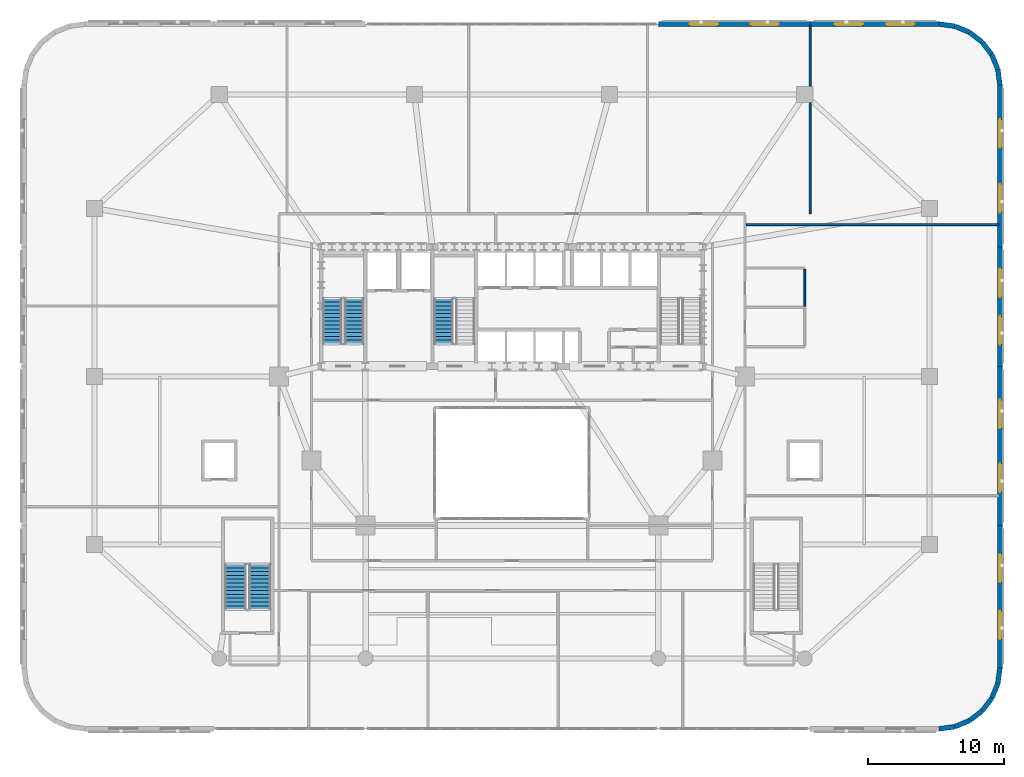
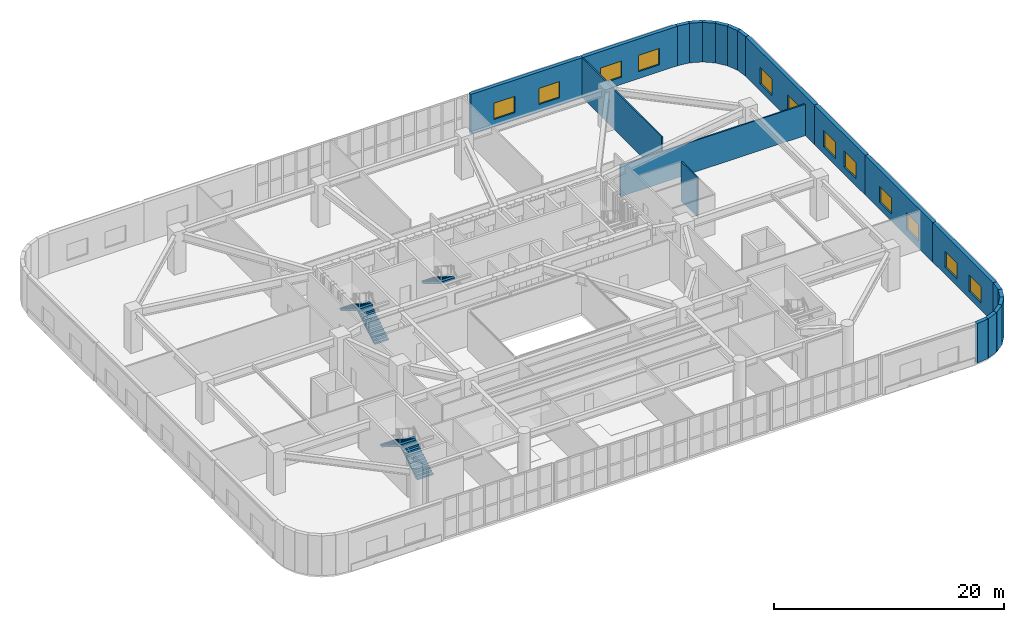
# One storey, part 17 of 25: 21 walls, 12 windows, 5 stair flights, 12 openings, 3 elements without a shape of their own.
"""IFC4 building model written with IfcOpenShell, lengths in metres."""

import ifcopenshell
import ifcopenshell.guid

model = None  # the IFC model being written
_history = None  # IfcOwnerHistory: only IFC2X3 demands one
_inside = {}  # id of a spatial element -> (the spatial element, [elements in it])
_under = {}  # id of a project, library or spatial element -> (it, [spatial elements below it])
_declared = {}  # id of a project -> (the project, [libraries it declares])
_typed = {}  # id of a type object -> (the type object, [elements of that type])
_made_of = {}  # id of a material, layer set ... -> (it, [elements and type objects made of it])


def new_model(schema):
    """Start an empty IFC model of exactly this schema.

    Asked for "IFC4X3", IfcOpenShell would pick the latest addendum, in which some entities
    have other attributes; the version numbers below select the first issue.
    IFC2X3 requires an IfcOwnerHistory on every rooted entity: one is made here for all.
    """
    global model, _history
    if schema == "IFC4X3":
        model = ifcopenshell.file(schema_version=(4, 3, 0, 0))
    else:
        model = ifcopenshell.file(schema=schema)
    _inside.clear()
    _under.clear()
    _declared.clear()
    _typed.clear()
    _made_of.clear()
    _history = None
    if model.schema == "IFC2X3":
        org = make("IfcOrganization", Name="unknown")
        user = make(
            "IfcPersonAndOrganization",
            ThePerson=make("IfcPerson", FamilyName="unknown"),
            TheOrganization=org,
        )
        app = make(
            "IfcApplication",
            ApplicationDeveloper=org,
            Version="unknown",
            ApplicationFullName="unknown",
            ApplicationIdentifier="unknown",
        )
        _history = make(
            "IfcOwnerHistory",
            OwningUser=user,
            OwningApplication=app,
            ChangeAction="ADDED",
            CreationDate=0,
        )
    return model


def make(cls, **values):
    """One entity of the class cls with the attributes given. An attribute that is None is left unset."""
    return model.create_entity(
        cls, **{name: value for name, value in values.items() if value is not None}
    )


def rooted(cls, **values):
    """An entity with a GlobalId (a new one), such as an element, a storey or a relation."""
    return make(cls, GlobalId=ifcopenshell.guid.new(), OwnerHistory=_history, **values)


def si_unit(unit_type, name, prefix=None):
    """IfcSIUnit, for example si_unit("LENGTHUNIT", "METRE", prefix="MILLI")."""
    return make("IfcSIUnit", UnitType=unit_type, Prefix=prefix, Name=name)


def assignment(units):
    """IfcUnitAssignment: the units of a project."""
    return None if units is None else make("IfcUnitAssignment", Units=units)


def point(xyz):
    """IfcCartesianPoint."""
    return None if xyz is None else make("IfcCartesianPoint", Coordinates=xyz)


def direction(xyz):
    """IfcDirection."""
    return None if xyz is None else make("IfcDirection", DirectionRatios=xyz)


def frame(location, z_axis=None, x_axis=None):
    """IfcAxis2Placement3D, a coordinate frame: its origin and axes. An axis left out is left unset."""
    return make(
        "IfcAxis2Placement3D",
        Location=point(location),
        Axis=direction(z_axis),
        RefDirection=direction(x_axis),
    )


def frame_2d(location, x_axis=None):
    """IfcAxis2Placement2D, a coordinate frame in the plane: its origin and x axis."""
    return make(
        "IfcAxis2Placement2D", Location=point(location), RefDirection=direction(x_axis)
    )


def origin():
    """The frame at (0, 0, 0) with its axes left unset."""
    return frame((0.0, 0.0, 0.0))


def place(relative_to, where):
    """IfcLocalPlacement: puts the frame where relative to a parent placement (None: the world)."""
    return make(
        "IfcLocalPlacement", PlacementRelTo=relative_to, RelativePlacement=where
    )


def context(
    kind, dimensions, precision=None, world=None, true_north=None, identifier=None
):
    """IfcGeometricRepresentationContext, for example the 3D "Model" context."""
    return make(
        "IfcGeometricRepresentationContext",
        ContextIdentifier=identifier,
        ContextType=kind,
        CoordinateSpaceDimension=dimensions,
        Precision=precision,
        WorldCoordinateSystem=world,
        TrueNorth=true_north,
    )


def subcontext(parent, identifier, kind, view, scale=None):
    """IfcGeometricRepresentationSubContext, for example "Body" below "Model"."""
    return make(
        "IfcGeometricRepresentationSubContext",
        ContextIdentifier=identifier,
        ContextType=kind,
        ParentContext=parent,
        TargetScale=scale,
        TargetView=view,
    )


def project(units=None, contexts=None):
    """IfcProject with its units and contexts."""
    return rooted(
        "IfcProject",
        Name="project",
        RepresentationContexts=contexts,
        UnitsInContext=assignment(units),
    )


def spatial(cls, under=None, at=None, **own):
    """A site, building, storey or space (cls), placed at a placement, below another one or the project."""
    s = rooted(cls, ObjectPlacement=at, **own)
    if under is not None:
        _under.setdefault(under.id(), (under, []))[1].append(s)
    return s


def polyline(points):
    """IfcPolyline through the points."""
    return make("IfcPolyline", Points=[point(p) for p in points])


def profile(cls, at=None, kind="AREA", **sizes):
    """A parametric profile (cls). Its sizes go by their IFC names, for example OverallWidth=200.0."""
    return make(cls, ProfileType=kind, Position=at, **sizes)


def rectangle(**sizes):
    """IfcRectangleProfileDef."""
    return profile("IfcRectangleProfileDef", **sizes)


def outline(outer, holes=None, kind="AREA"):
    """IfcArbitraryClosedProfileDef: a profile drawn as a closed curve; with holes, ...WithVoids."""
    if holes is None:
        return make("IfcArbitraryClosedProfileDef", ProfileType=kind, OuterCurve=outer)
    return make(
        "IfcArbitraryProfileDefWithVoids",
        ProfileType=kind,
        OuterCurve=outer,
        InnerCurves=holes,
    )


def extrude(swept, where, along, depth):
    """IfcExtrudedAreaSolid: the profile swept, set in the frame where, extruded along a direction by depth."""
    return make(
        "IfcExtrudedAreaSolid",
        SweptArea=swept,
        Position=where,
        ExtrudedDirection=direction(along),
        Depth=depth,
    )


def shape(context_of_items, identifier, shape_type, items):
    """IfcShapeRepresentation: the items that make up one representation, for example the "Body"."""
    return make(
        "IfcShapeRepresentation",
        ContextOfItems=context_of_items,
        RepresentationIdentifier=identifier,
        RepresentationType=shape_type,
        Items=items,
    )


def material(Name=None, Category=None):
    """IfcMaterial."""
    return make("IfcMaterial", Name=Name, Category=Category)


def layer(
    of_material, thickness, ventilated=None, Name=None, Category=None, Priority=None
):
    """IfcMaterialLayer: one layer of a wall or slab, of a material (None: an air gap)."""
    return make(
        "IfcMaterialLayer",
        Material=of_material,
        LayerThickness=thickness,
        IsVentilated=ventilated,
        Name=Name,
        Category=Category,
        Priority=Priority,
    )


def layer_set(layers, Name=None):
    """IfcMaterialLayerSet."""
    return make("IfcMaterialLayerSet", MaterialLayers=layers, LayerSetName=Name)


def made_of(thing, what):
    """Note that an element or type object is made of a material, layer set ...; save() writes the relation."""
    if what is not None:
        _made_of.setdefault(what.id(), (what, []))[1].append(thing)
    return thing


def type_object(cls, material=None, **own):
    """A type object (cls), such as IfcWallType, which elements share."""
    return made_of(rooted(cls, **own), material)


def element(
    cls,
    number,
    at=None,
    inside=None,
    cuts=None,
    type_object=None,
    material=None,
    context=None,
    identifier="Body",
    shape_type=None,
    held_by="IfcProductDefinitionShape",
    body=None,
    shapes=None,
    **own,
):
    """One element of the class cls, such as IfcWall. Its Tag is "e" and its number.

    at: its placement. inside: the storey or other place that contains it. cuts: it is an
    opening in that element (IfcRelVoidsElement). A single representation is given by context,
    identifier, shape_type and body (its items); several are given by shapes. held_by: the class
    of the entity that holds the representations. save() writes the other relations.
    """
    e = rooted(cls, Tag="e%d" % number, ObjectPlacement=at, **own)
    if body is not None:
        shapes = [shape(context, identifier, shape_type, body)]
    if shapes is not None:
        e.Representation = make(held_by, Representations=shapes)
    if inside is not None:
        _inside.setdefault(inside.id(), (inside, []))[1].append(e)
    if cuts is not None:
        rooted(
            "IfcRelVoidsElement", RelatingBuildingElement=cuts, RelatedOpeningElement=e
        )
    if type_object is not None:
        _typed.setdefault(type_object.id(), (type_object, []))[1].append(e)
    return made_of(e, material)


def fill(opening, filler):
    """IfcRelFillsElement: the door or window that sits in an opening."""
    return rooted(
        "IfcRelFillsElement",
        RelatingOpeningElement=opening,
        RelatedBuildingElement=filler,
    )


def aggregate(whole, parts):
    """IfcRelAggregates: a whole, such as a stair, and the parts it consists of."""
    return rooted("IfcRelAggregates", RelatingObject=whole, RelatedObjects=parts)


def save(model, path):
    """Write the relations noted so far, then the file.

    IfcRelAggregates (storeys below a building ...), IfcRelContainedInSpatialStructure (elements
    in a storey), IfcRelDefinesByType, IfcRelAssociatesMaterial and IfcRelDeclares: one each for
    every whole, place, type object, material and project.
    """
    for whole, parts in _under.values():
        aggregate(whole, parts)
    for where, things in _inside.values():
        rooted(
            "IfcRelContainedInSpatialStructure",
            RelatedElements=things,
            RelatingStructure=where,
        )
    for kind, things in _typed.values():
        rooted("IfcRelDefinesByType", RelatedObjects=things, RelatingType=kind)
    for what, things in _made_of.values():
        rooted("IfcRelAssociatesMaterial", RelatedObjects=things, RelatingMaterial=what)
    for by, libraries in _declared.values():
        rooted("IfcRelDeclares", RelatingContext=by, RelatedDefinitions=libraries)
    model.write(path)


model = new_model("IFC4")

# Units and contexts
model_context = context("Model", 3, precision=1e-05, world=origin(), true_north=direction((0.0, 1.0)))
body_context = subcontext(model_context, "Body", "Model", "MODEL_VIEW")
ifc_project = project(units=[si_unit("LENGTHUNIT", "METRE"), si_unit("AREAUNIT", "SQUARE_METRE"), si_unit("VOLUMEUNIT", "CUBIC_METRE"), si_unit("PLANEANGLEUNIT", "RADIAN"), si_unit("MASSUNIT", "GRAM", prefix="KILO")], contexts=[model_context])

# Site, building, storey
site_placement = place(None, origin())
site = spatial("IfcSite", under=ifc_project, at=site_placement, CompositionType="ELEMENT")
building_placement = place(site_placement, origin())
building = spatial("IfcBuilding", under=site, at=building_placement, Name="Haldorwick Loom Tower", CompositionType="ELEMENT")
storey_placement = place(building_placement, frame((0.0, 0.0, 15.0)))
storey = spatial("IfcBuildingStorey", under=building, at=storey_placement, Name="L03", CompositionType="ELEMENT", Elevation=15.0)

# Walls
ifc_material_1 = material(Name="Pressed Clay Face Brick and Insulated Masonry Backup Assembly", Category="masonry")
ifc_layer_1 = layer(ifc_material_1, 0.360107421875, Name="Pressed Clay Face Brick and Insulated Masonry Backup Assembly", Category="masonry")
ifc_layer_set_1 = layer_set([ifc_layer_1], Name="Pressed Clay Face Brick and Insulated Masonry Backup Assembly")
wall_type_1 = type_object("IfcWallType", Name="ARC-WL-EXT360", PredefinedType="STANDARD", material=ifc_layer_set_1)
wall_1_placement = place(storey_placement, frame((67.5, 0.0, 0.0), z_axis=(0.0, 0.0, 1.0), x_axis=(0.991447928588, 0.130502892298, 0.0)))
element("IfcWall", 1, at=wall_1_placement, inside=storey, type_object=wall_type_1, Name="L03 Brick Pier and Spandrel Wall 1", PredefinedType="STANDARD", context=body_context, shape_type="SweptSolid", body=[
    extrude(rectangle(XDim=1.1748046875, YDim=0.360107421875, at=frame_2d((0.58740234375, 0.0))), origin(), (0.0, 0.0, 1.0), 4.199951171875),
])
wall_2_placement = place(storey_placement, frame((68.664794921875, 0.1533203125, 0.0), z_axis=(0.0, 0.0, 1.0), x_axis=(0.923892706888, 0.382651625058, 0.0)))
element("IfcWall", 2, at=wall_2_placement, inside=storey, type_object=wall_type_1, Name="L03 Brick Pier and Spandrel Wall 2", PredefinedType="STANDARD", context=body_context, shape_type="SweptSolid", body=[
    extrude(rectangle(XDim=1.174560546875, YDim=0.360107421875, at=frame_2d((0.58740234375, 0.0))), origin(), (0.0, 0.0, 1.0), 4.199951171875),
])
for number, where, z_axis, x_axis, name in (
    (3, (69.75, 0.602783203125, 0.0), (0.0, 0.0, 1.0), (0.79324162823, 0.60890698735, 0.0), "L03 Brick Pier and Spandrel Wall 3"),
    (4, (70.681884765625, 1.318115234375, 0.0), (0.0, 0.0, 1.0), (0.60890698735, 0.79324162823, 0.0), "L03 Brick Pier and Spandrel Wall 4"),
):
    element("IfcWall", number, at=place(storey_placement, frame(where, z_axis=z_axis, x_axis=x_axis)), inside=storey, type_object=wall_type_1, Name=name, PredefinedType="STANDARD", context=body_context, shape_type="SweptSolid", body=[
        extrude(rectangle(XDim=1.1748046875, YDim=0.360107421875, at=frame_2d((0.58740234375, 0.0))), origin(), (0.0, 0.0, 1.0), 4.199951171875),
    ])
wall_3_placement = place(storey_placement, frame((71.397216796875, 2.25, 0.0), z_axis=(0.0, 0.0, 1.0), x_axis=(0.382651625058, 0.923892706888, 0.0)))
element("IfcWall", 5, at=wall_3_placement, inside=storey, type_object=wall_type_1, Name="L03 Brick Pier and Spandrel Wall 5", PredefinedType="STANDARD", context=body_context, shape_type="SweptSolid", body=[
    extrude(rectangle(XDim=1.174560546875, YDim=0.360107421875, at=frame_2d((0.58740234375, 0.0))), origin(), (0.0, 0.0, 1.0), 4.199951171875),
])
wall_4_placement = place(storey_placement, frame((71.8466796875, 3.335205078125, 0.0), z_axis=(0.0, 0.0, 1.0), x_axis=(0.130502892298, 0.991447928588, 0.0)))
element("IfcWall", 6, at=wall_4_placement, inside=storey, type_object=wall_type_1, Name="L03 Brick Pier and Spandrel Wall 6", PredefinedType="STANDARD", context=body_context, shape_type="SweptSolid", body=[
    extrude(rectangle(XDim=1.1748046875, YDim=0.360107421875, at=frame_2d((0.58740234375, 0.0))), origin(), (0.0, 0.0, 1.0), 4.199951171875),
])

# Wall, openings, windows
wall_5_placement = place(storey_placement, frame((72.0, 4.5, 0.0), z_axis=(0.0, 0.0, 1.0), x_axis=(0.0, 1.0, 0.0)))
wall_5 = element("IfcWall", 7, at=wall_5_placement, inside=storey, type_object=wall_type_1, Name="L03 Brick Pier and Spandrel Wall 7", PredefinedType="STANDARD", context=body_context, shape_type="SweptSolid", body=[
    extrude(rectangle(XDim=10.5, YDim=0.360107421875, at=frame_2d((5.25, 0.0))), origin(), (0.0, 0.0, 1.0), 4.199951171875),
])
opening_1_placement = place(wall_5_placement, frame((2.10009765625, 0.0, 0.75)))
opening_1 = element("IfcOpeningElement", 8, at=opening_1_placement, cuts=wall_5, Name="Opening W-04", PredefinedType="OPENING", context=body_context, shape_type="SweptSolid", body=[
    extrude(rectangle(XDim=2.10009765625, YDim=1.719970703125, at=frame_2d((1.050048828125, 0.85986328125))), frame((0.0, 0.18994140625, 0.0), z_axis=(0.0, -1.0, 0.0), x_axis=(1.0, 0.0, 0.0)), (0.0, 0.0, 1.0), 0.380126953125),
])
opening_2_placement = place(wall_5_placement, frame((6.300048828125, 0.0, 0.75)))
opening_2 = element("IfcOpeningElement", 9, at=opening_2_placement, cuts=wall_5, Name="Opening W-04", PredefinedType="OPENING", context=body_context, shape_type="SweptSolid", body=[
    extrude(rectangle(XDim=2.10009765625, YDim=1.719970703125, at=frame_2d((1.050048828125, 0.85986328125))), frame((0.0, 0.18994140625, 0.0), z_axis=(0.0, -1.0, 0.0), x_axis=(1.0, 0.0, 0.0)), (0.0, 0.0, 1.0), 0.380126953125),
])
ifc_material_2 = material(Name="Triple-Glazed Low-E Argon Insulated Glazing Unit", Category="glass")
window_type = type_object("IfcWindowType", Name="ARC-WIN-W210", PartitioningType="SINGLE_PANEL", PredefinedType="WINDOW", material=ifc_material_2)
window_1_placement = place(opening_1_placement, origin())
window_1 = element("IfcWindow", 10, at=window_1_placement, inside=storey, type_object=window_type, Name="L03 Deep-Set Zone 7A Window 7", OverallHeight=1.719970703125, OverallWidth=2.10009765625, PartitioningType="SINGLE_PANEL", PredefinedType="WINDOW", context=body_context, shape_type="SweptSolid", body=[
    extrude(rectangle(XDim=2.10009765625, YDim=1.719970703125, at=frame_2d((1.050048828125, 0.85986328125))), frame((0.0, 0.030029296875, 0.0), z_axis=(0.0, -1.0, 0.0), x_axis=(1.0, 0.0, 0.0)), (0.0, 0.0, 1.0), 0.06005859375),
])
fill(opening_1, window_1)
window_2_placement = place(opening_2_placement, origin())
window_2 = element("IfcWindow", 11, at=window_2_placement, inside=storey, type_object=window_type, Name="L03 Deep-Set Zone 7A Window 7", OverallHeight=1.719970703125, OverallWidth=2.10009765625, PartitioningType="SINGLE_PANEL", PredefinedType="WINDOW", context=body_context, shape_type="SweptSolid", body=[
    extrude(rectangle(XDim=2.10009765625, YDim=1.719970703125, at=frame_2d((1.050048828125, 0.85986328125))), frame((0.0, 0.030029296875, 0.0), z_axis=(0.0, -1.0, 0.0), x_axis=(1.0, 0.0, 0.0)), (0.0, 0.0, 1.0), 0.06005859375),
])
fill(opening_2, window_2)

wall_6_placement = place(storey_placement, frame((72.0, 15.0, 0.0), z_axis=(0.0, 0.0, 1.0), x_axis=(0.0, 1.0, 0.0)))
wall_6 = element("IfcWall", 12, at=wall_6_placement, inside=storey, type_object=wall_type_1, Name="L03 Brick Pier and Spandrel Wall 8", PredefinedType="STANDARD", context=body_context, shape_type="SweptSolid", body=[
    extrude(rectangle(XDim=11.75, YDim=0.360107421875, at=frame_2d((5.875, 0.0))), origin(), (0.0, 0.0, 1.0), 4.199951171875),
])
opening_3_placement = place(wall_6_placement, frame((2.47509765625, 0.0, 0.75)))
opening_3 = element("IfcOpeningElement", 13, at=opening_3_placement, cuts=wall_6, Name="Opening W-04", PredefinedType="OPENING", context=body_context, shape_type="SweptSolid", body=[
    extrude(rectangle(XDim=2.10009765625, YDim=1.719970703125, at=frame_2d((1.050048828125, 0.85986328125))), frame((0.0, 0.18994140625, 0.0), z_axis=(0.0, -1.0, 0.0), x_axis=(1.0, 0.0, 0.0)), (0.0, 0.0, 1.0), 0.380126953125),
])
opening_4_placement = place(wall_6_placement, frame((7.175048828125, 0.0, 0.75)))
opening_4 = element("IfcOpeningElement", 14, at=opening_4_placement, cuts=wall_6, Name="Opening W-04", PredefinedType="OPENING", context=body_context, shape_type="SweptSolid", body=[
    extrude(rectangle(XDim=2.10009765625, YDim=1.719970703125, at=frame_2d((1.050048828125, 0.85986328125))), frame((0.0, 0.18994140625, 0.0), z_axis=(0.0, -1.0, 0.0), x_axis=(1.0, 0.0, 0.0)), (0.0, 0.0, 1.0), 0.380126953125),
])
window_3_placement = place(opening_3_placement, origin())
window_3 = element("IfcWindow", 15, at=window_3_placement, inside=storey, type_object=window_type, Name="L03 Deep-Set Zone 7A Window 8", OverallHeight=1.719970703125, OverallWidth=2.10009765625, PartitioningType="SINGLE_PANEL", PredefinedType="WINDOW", context=body_context, shape_type="SweptSolid", body=[
    extrude(rectangle(XDim=2.10009765625, YDim=1.719970703125, at=frame_2d((1.050048828125, 0.85986328125))), frame((0.0, 0.030029296875, 0.0), z_axis=(0.0, -1.0, 0.0), x_axis=(1.0, 0.0, 0.0)), (0.0, 0.0, 1.0), 0.06005859375),
])
fill(opening_3, window_3)
window_4_placement = place(opening_4_placement, origin())
window_4 = element("IfcWindow", 16, at=window_4_placement, inside=storey, type_object=window_type, Name="L03 Deep-Set Zone 7A Window 8", OverallHeight=1.719970703125, OverallWidth=2.10009765625, PartitioningType="SINGLE_PANEL", PredefinedType="WINDOW", context=body_context, shape_type="SweptSolid", body=[
    extrude(rectangle(XDim=2.10009765625, YDim=1.719970703125, at=frame_2d((1.050048828125, 0.85986328125))), frame((0.0, 0.030029296875, 0.0), z_axis=(0.0, -1.0, 0.0), x_axis=(1.0, 0.0, 0.0)), (0.0, 0.0, 1.0), 0.06005859375),
])
fill(opening_4, window_4)

wall_7_placement = place(storey_placement, frame((72.0, 26.75, 0.0), z_axis=(0.0, 0.0, 1.0), x_axis=(0.0, 1.0, 0.0)))
wall_7 = element("IfcWall", 17, at=wall_7_placement, inside=storey, type_object=wall_type_1, Name="L03 Brick Pier and Spandrel Wall 9", PredefinedType="STANDARD", context=body_context, shape_type="SweptSolid", body=[
    extrude(rectangle(XDim=8.800048828125, YDim=0.360107421875, at=frame_2d((4.39990234375, 0.0))), origin(), (0.0, 0.0, 1.0), 4.199951171875),
])
opening_5_placement = place(wall_7_placement, frame((1.590087890625, 0.0, 0.75)))
opening_5 = element("IfcOpeningElement", 18, at=opening_5_placement, cuts=wall_7, Name="Opening W-04", PredefinedType="OPENING", context=body_context, shape_type="SweptSolid", body=[
    extrude(rectangle(XDim=2.10009765625, YDim=1.719970703125, at=frame_2d((1.050048828125, 0.85986328125))), frame((0.0, 0.18994140625, 0.0), z_axis=(0.0, -1.0, 0.0), x_axis=(1.0, 0.0, 0.0)), (0.0, 0.0, 1.0), 0.380126953125),
])
opening_6_placement = place(wall_7_placement, frame((5.110107421875, 0.0, 0.75)))
opening_6 = element("IfcOpeningElement", 19, at=opening_6_placement, cuts=wall_7, Name="Opening W-04", PredefinedType="OPENING", context=body_context, shape_type="SweptSolid", body=[
    extrude(rectangle(XDim=2.10009765625, YDim=1.719970703125, at=frame_2d((1.050048828125, 0.85986328125))), frame((0.0, 0.18994140625, 0.0), z_axis=(0.0, -1.0, 0.0), x_axis=(1.0, 0.0, 0.0)), (0.0, 0.0, 1.0), 0.380126953125),
])
window_5_placement = place(opening_5_placement, origin())
window_5 = element("IfcWindow", 20, at=window_5_placement, inside=storey, type_object=window_type, Name="L03 Deep-Set Zone 7A Window 9", OverallHeight=1.719970703125, OverallWidth=2.10009765625, PartitioningType="SINGLE_PANEL", PredefinedType="WINDOW", context=body_context, shape_type="SweptSolid", body=[
    extrude(rectangle(XDim=2.10009765625, YDim=1.719970703125, at=frame_2d((1.050048828125, 0.85986328125))), frame((0.0, 0.030029296875, 0.0), z_axis=(0.0, -1.0, 0.0), x_axis=(1.0, 0.0, 0.0)), (0.0, 0.0, 1.0), 0.06005859375),
])
fill(opening_5, window_5)
window_6_placement = place(opening_6_placement, origin())
window_6 = element("IfcWindow", 21, at=window_6_placement, inside=storey, type_object=window_type, Name="L03 Deep-Set Zone 7A Window 9", OverallHeight=1.719970703125, OverallWidth=2.10009765625, PartitioningType="SINGLE_PANEL", PredefinedType="WINDOW", context=body_context, shape_type="SweptSolid", body=[
    extrude(rectangle(XDim=2.10009765625, YDim=1.719970703125, at=frame_2d((1.050048828125, 0.85986328125))), frame((0.0, 0.030029296875, 0.0), z_axis=(0.0, -1.0, 0.0), x_axis=(1.0, 0.0, 0.0)), (0.0, 0.0, 1.0), 0.06005859375),
])
fill(opening_6, window_6)

wall_8_placement = place(storey_placement, frame((72.0, 35.550048828125, 0.0), z_axis=(0.0, 0.0, 1.0), x_axis=(0.0, 1.0, 0.0)))
wall_8 = element("IfcWall", 22, at=wall_8_placement, inside=storey, type_object=wall_type_1, Name="L03 Brick Pier and Spandrel Wall 10", PredefinedType="STANDARD", context=body_context, shape_type="SweptSolid", body=[
    extrude(rectangle(XDim=11.949951171875, YDim=0.360107421875, at=frame_2d((5.97509765625, 0.0))), origin(), (0.0, 0.0, 1.0), 4.199951171875),
])
opening_7_placement = place(wall_8_placement, frame((2.534912109375, 0.0, 0.75)))
opening_7 = element("IfcOpeningElement", 23, at=opening_7_placement, cuts=wall_8, Name="Opening W-04", PredefinedType="OPENING", context=body_context, shape_type="SweptSolid", body=[
    extrude(rectangle(XDim=2.10009765625, YDim=1.719970703125, at=frame_2d((1.050048828125, 0.85986328125))), frame((0.0, 0.18994140625, 0.0), z_axis=(0.0, -1.0, 0.0), x_axis=(1.0, 0.0, 0.0)), (0.0, 0.0, 1.0), 0.380126953125),
])
opening_8_placement = place(wall_8_placement, frame((7.31494140625, 0.0, 0.75)))
opening_8 = element("IfcOpeningElement", 24, at=opening_8_placement, cuts=wall_8, Name="Opening W-04", PredefinedType="OPENING", context=body_context, shape_type="SweptSolid", body=[
    extrude(rectangle(XDim=2.10009765625, YDim=1.719970703125, at=frame_2d((1.050048828125, 0.85986328125))), frame((0.0, 0.18994140625, 0.0), z_axis=(0.0, -1.0, 0.0), x_axis=(1.0, 0.0, 0.0)), (0.0, 0.0, 1.0), 0.380126953125),
])
window_7_placement = place(opening_7_placement, origin())
window_7 = element("IfcWindow", 25, at=window_7_placement, inside=storey, type_object=window_type, Name="L03 Deep-Set Zone 7A Window 10", OverallHeight=1.719970703125, OverallWidth=2.10009765625, PartitioningType="SINGLE_PANEL", PredefinedType="WINDOW", context=body_context, shape_type="SweptSolid", body=[
    extrude(rectangle(XDim=2.10009765625, YDim=1.719970703125, at=frame_2d((1.050048828125, 0.85986328125))), frame((0.0, 0.030029296875, 0.0), z_axis=(0.0, -1.0, 0.0), x_axis=(1.0, 0.0, 0.0)), (0.0, 0.0, 1.0), 0.06005859375),
])
fill(opening_7, window_7)
window_8_placement = place(opening_8_placement, origin())
window_8 = element("IfcWindow", 26, at=window_8_placement, inside=storey, type_object=window_type, Name="L03 Deep-Set Zone 7A Window 10", OverallHeight=1.719970703125, OverallWidth=2.10009765625, PartitioningType="SINGLE_PANEL", PredefinedType="WINDOW", context=body_context, shape_type="SweptSolid", body=[
    extrude(rectangle(XDim=2.10009765625, YDim=1.719970703125, at=frame_2d((1.050048828125, 0.85986328125))), frame((0.0, 0.030029296875, 0.0), z_axis=(0.0, -1.0, 0.0), x_axis=(1.0, 0.0, 0.0)), (0.0, 0.0, 1.0), 0.06005859375),
])
fill(opening_8, window_8)

# Walls
wall_9_placement = place(storey_placement, frame((72.0, 47.5, 0.0), z_axis=(0.0, 0.0, 1.0), x_axis=(-0.130502892298, 0.991447928588, 0.0)))
element("IfcWall", 27, at=wall_9_placement, inside=storey, type_object=wall_type_1, Name="L03 Brick Pier and Spandrel Wall 11", PredefinedType="STANDARD", context=body_context, shape_type="SweptSolid", body=[
    extrude(rectangle(XDim=1.1748046875, YDim=0.360107421875, at=frame_2d((0.58740234375, 0.0))), origin(), (0.0, 0.0, 1.0), 4.199951171875),
])
wall_10_placement = place(storey_placement, frame((71.8466796875, 48.664794921875, 0.0), z_axis=(0.0, 0.0, 1.0), x_axis=(-0.382651625058, 0.923892706888, 0.0)))
element("IfcWall", 28, at=wall_10_placement, inside=storey, type_object=wall_type_1, Name="L03 Brick Pier and Spandrel Wall 12", PredefinedType="STANDARD", context=body_context, shape_type="SweptSolid", body=[
    extrude(rectangle(XDim=1.174560546875, YDim=0.360107421875, at=frame_2d((0.58740234375, 0.0))), origin(), (0.0, 0.0, 1.0), 4.199951171875),
])
for number, where, z_axis, x_axis, name in (
    (29, (71.397216796875, 49.75, 0.0), (0.0, 0.0, 1.0), (-0.60890698735, 0.79324162823, 0.0), "L03 Brick Pier and Spandrel Wall 13"),
    (30, (70.681884765625, 50.681884765625, 0.0), (0.0, 0.0, 1.0), (-0.79324162823, 0.60890698735, 0.0), "L03 Brick Pier and Spandrel Wall 14"),
):
    element("IfcWall", number, at=place(storey_placement, frame(where, z_axis=z_axis, x_axis=x_axis)), inside=storey, type_object=wall_type_1, Name=name, PredefinedType="STANDARD", context=body_context, shape_type="SweptSolid", body=[
        extrude(rectangle(XDim=1.1748046875, YDim=0.360107421875, at=frame_2d((0.58740234375, 0.0))), origin(), (0.0, 0.0, 1.0), 4.199951171875),
    ])
wall_11_placement = place(storey_placement, frame((69.75, 51.397216796875, 0.0), z_axis=(0.0, 0.0, 1.0), x_axis=(-0.923892706888, 0.382651625058, 0.0)))
element("IfcWall", 31, at=wall_11_placement, inside=storey, type_object=wall_type_1, Name="L03 Brick Pier and Spandrel Wall 15", PredefinedType="STANDARD", context=body_context, shape_type="SweptSolid", body=[
    extrude(rectangle(XDim=1.174560546875, YDim=0.360107421875, at=frame_2d((0.58740234375, 0.0))), origin(), (0.0, 0.0, 1.0), 4.199951171875),
])
wall_12_placement = place(storey_placement, frame((68.664794921875, 51.8466796875, 0.0), z_axis=(0.0, 0.0, 1.0), x_axis=(-0.991447928588, 0.130502892298, 0.0)))
element("IfcWall", 32, at=wall_12_placement, inside=storey, type_object=wall_type_1, Name="L03 Brick Pier and Spandrel Wall 16", PredefinedType="STANDARD", context=body_context, shape_type="SweptSolid", body=[
    extrude(rectangle(XDim=1.1748046875, YDim=0.360107421875, at=frame_2d((0.58740234375, 0.0))), origin(), (0.0, 0.0, 1.0), 4.199951171875),
])

# Wall, openings, windows
wall_13_placement = place(storey_placement, frame((67.5, 52.0, 0.0), z_axis=(0.0, 0.0, 1.0), x_axis=(-1.0, 0.0, 0.0)))
wall_13 = element("IfcWall", 33, at=wall_13_placement, inside=storey, type_object=wall_type_1, Name="L03 Brick Pier and Spandrel Wall 17", PredefinedType="STANDARD", context=body_context, shape_type="SweptSolid", body=[
    extrude(rectangle(XDim=9.5, YDim=0.360107421875, at=frame_2d((4.75, 0.0))), origin(), (0.0, 0.0, 1.0), 4.199951171875),
])
opening_9_placement = place(wall_13_placement, frame((1.800048828125, 0.0, 0.75)))
opening_9 = element("IfcOpeningElement", 34, at=opening_9_placement, cuts=wall_13, Name="Opening W-04", PredefinedType="OPENING", context=body_context, shape_type="SweptSolid", body=[
    extrude(rectangle(XDim=2.10009765625, YDim=1.719970703125, at=frame_2d((1.050048828125, 0.85986328125))), frame((0.0, 0.18994140625, 0.0), z_axis=(0.0, -1.0, 0.0), x_axis=(1.0, 0.0, 0.0)), (0.0, 0.0, 1.0), 0.380126953125),
])
opening_10_placement = place(wall_13_placement, frame((5.60009765625, 0.0, 0.75)))
opening_10 = element("IfcOpeningElement", 35, at=opening_10_placement, cuts=wall_13, Name="Opening W-04", PredefinedType="OPENING", context=body_context, shape_type="SweptSolid", body=[
    extrude(rectangle(XDim=2.10009765625, YDim=1.719970703125, at=frame_2d((1.050048828125, 0.85986328125))), frame((0.0, 0.18994140625, 0.0), z_axis=(0.0, -1.0, 0.0), x_axis=(1.0, 0.0, 0.0)), (0.0, 0.0, 1.0), 0.380126953125),
])
window_9_placement = place(opening_9_placement, origin())
window_9 = element("IfcWindow", 36, at=window_9_placement, inside=storey, type_object=window_type, Name="L03 Deep-Set Zone 7A Window 17", OverallHeight=1.719970703125, OverallWidth=2.10009765625, PartitioningType="SINGLE_PANEL", PredefinedType="WINDOW", context=body_context, shape_type="SweptSolid", body=[
    extrude(rectangle(XDim=2.10009765625, YDim=1.719970703125, at=frame_2d((1.050048828125, 0.85986328125))), frame((0.0, 0.030029296875, 0.0), z_axis=(0.0, -1.0, 0.0), x_axis=(1.0, 0.0, 0.0)), (0.0, 0.0, 1.0), 0.06005859375),
])
fill(opening_9, window_9)
window_10_placement = place(opening_10_placement, origin())
window_10 = element("IfcWindow", 37, at=window_10_placement, inside=storey, type_object=window_type, Name="L03 Deep-Set Zone 7A Window 17", OverallHeight=1.719970703125, OverallWidth=2.10009765625, PartitioningType="SINGLE_PANEL", PredefinedType="WINDOW", context=body_context, shape_type="SweptSolid", body=[
    extrude(rectangle(XDim=2.10009765625, YDim=1.719970703125, at=frame_2d((1.050048828125, 0.85986328125))), frame((0.0, 0.030029296875, 0.0), z_axis=(0.0, -1.0, 0.0), x_axis=(1.0, 0.0, 0.0)), (0.0, 0.0, 1.0), 0.06005859375),
])
fill(opening_10, window_10)

wall_14_placement = place(storey_placement, frame((58.0, 52.0, 0.0), z_axis=(0.0, 0.0, 1.0), x_axis=(-1.0, 0.0, 0.0)))
wall_14 = element("IfcWall", 38, at=wall_14_placement, inside=storey, type_object=wall_type_1, Name="L03 Brick Pier and Spandrel Wall 18", PredefinedType="STANDARD", context=body_context, shape_type="SweptSolid", body=[
    extrude(rectangle(XDim=11.199951171875, YDim=0.360107421875, at=frame_2d((5.60009765625, 0.0))), origin(), (0.0, 0.0, 1.0), 4.199951171875),
])
opening_11_placement = place(wall_14_placement, frame((2.31005859375, 0.0, 0.75)))
opening_11 = element("IfcOpeningElement", 39, at=opening_11_placement, cuts=wall_14, Name="Opening W-04", PredefinedType="OPENING", context=body_context, shape_type="SweptSolid", body=[
    extrude(rectangle(XDim=2.10009765625, YDim=1.719970703125, at=frame_2d((1.050048828125, 0.85986328125))), frame((0.0, 0.18994140625, 0.0), z_axis=(0.0, -1.0, 0.0), x_axis=(1.0, 0.0, 0.0)), (0.0, 0.0, 1.0), 0.380126953125),
])
opening_12_placement = place(wall_14_placement, frame((6.7900390625, 0.0, 0.75)))
opening_12 = element("IfcOpeningElement", 40, at=opening_12_placement, cuts=wall_14, Name="Opening W-04", PredefinedType="OPENING", context=body_context, shape_type="SweptSolid", body=[
    extrude(rectangle(XDim=2.10009765625, YDim=1.719970703125, at=frame_2d((1.050048828125, 0.85986328125))), frame((0.0, 0.18994140625, 0.0), z_axis=(0.0, -1.0, 0.0), x_axis=(1.0, 0.0, 0.0)), (0.0, 0.0, 1.0), 0.380126953125),
])
window_11_placement = place(opening_11_placement, origin())
window_11 = element("IfcWindow", 41, at=window_11_placement, inside=storey, type_object=window_type, Name="L03 Deep-Set Zone 7A Window 18", OverallHeight=1.719970703125, OverallWidth=2.10009765625, PartitioningType="SINGLE_PANEL", PredefinedType="WINDOW", context=body_context, shape_type="SweptSolid", body=[
    extrude(rectangle(XDim=2.10009765625, YDim=1.719970703125, at=frame_2d((1.050048828125, 0.85986328125))), frame((0.0, 0.030029296875, 0.0), z_axis=(0.0, -1.0, 0.0), x_axis=(1.0, 0.0, 0.0)), (0.0, 0.0, 1.0), 0.06005859375),
])
fill(opening_11, window_11)
window_12_placement = place(opening_12_placement, origin())
window_12 = element("IfcWindow", 42, at=window_12_placement, inside=storey, type_object=window_type, Name="L03 Deep-Set Zone 7A Window 18", OverallHeight=1.719970703125, OverallWidth=2.10009765625, PartitioningType="SINGLE_PANEL", PredefinedType="WINDOW", context=body_context, shape_type="SweptSolid", body=[
    extrude(rectangle(XDim=2.10009765625, YDim=1.719970703125, at=frame_2d((1.050048828125, 0.85986328125))), frame((0.0, 0.030029296875, 0.0), z_axis=(0.0, -1.0, 0.0), x_axis=(1.0, 0.0, 0.0)), (0.0, 0.0, 1.0), 0.06005859375),
])
fill(opening_12, window_12)

# Walls
ifc_material_3 = material(Name="Fire-Rated Type X Gypsum Stud Assembly EI 60")
ifc_layer_2 = layer(ifc_material_3, 0.139892578125, Name="Fire-Rated Type X Gypsum Stud Assembly EI 60")
ifc_layer_set_2 = layer_set([ifc_layer_2], Name="Fire-Rated Type X Gypsum Stud Assembly EI 60")
wall_type_2 = type_object("IfcWallType", Name="ARC-WL-PART140", PredefinedType="PARTITIONING", material=ifc_layer_set_2)
wall_15_placement = place(storey_placement, frame((57.60009765625, 31.173095703125, 0.0), z_axis=(0.0, 0.0, 1.0), x_axis=(0.0, 1.0, 0.0)))
element("IfcWall", 43, at=wall_15_placement, inside=storey, type_object=wall_type_2, Name="L03 Podium Partition L03-WC4", PredefinedType="PARTITIONING", context=body_context, shape_type="SweptSolid", body=[
    extrude(rectangle(XDim=2.75390625, YDim=0.139892578125, at=frame_2d((1.376953125, 0.0))), origin(), (0.0, 0.0, 1.0), 4.18505859375),
])
wall_16_placement = place(storey_placement, frame((58.0, 38.0, 0.0), z_axis=(0.0, 0.0, 1.0), x_axis=(0.0, 1.0, 0.0)))
element("IfcWall", 44, at=wall_16_placement, inside=storey, type_object=wall_type_2, Name="L03 Podium Partition L03-PN-3", PredefinedType="PARTITIONING", context=body_context, shape_type="SweptSolid", body=[
    extrude(rectangle(XDim=13.89990234375, YDim=0.139892578125, at=frame_2d((6.949951171875, 0.0))), origin(), (0.0, 0.0, 1.0), 4.18505859375),
])
wall_17_placement = place(storey_placement, frame((53.282958984375, 37.199951171875, 0.0), z_axis=(0.0, 0.0, 1.0), x_axis=(1.0, 0.0, 0.0)))
element("IfcWall", 45, at=wall_17_placement, inside=storey, type_object=wall_type_2, Name="L03 Podium Partition L03-PE-1", PredefinedType="PARTITIONING", context=body_context, shape_type="SweptSolid", body=[
    extrude(rectangle(XDim=18.616943359375, YDim=0.139892578125, at=frame_2d((9.30859375, 0.0))), origin(), (0.0, 0.0, 1.0), 3.320068359375),
])

# Stair, stair flights
ifc_material_4 = material(Name="Concrete C40 (40 MPa)", Category="concrete")
stair_type_1 = type_object("IfcStairType", Name="STR-STR-CORE", PredefinedType="HALF_TURN_STAIR", material=ifc_material_4)
stair_1_placement = place(storey_placement, origin())
stair_1 = element("IfcStair", 46, at=stair_1_placement, inside=storey, type_object=stair_type_1, Name="L03 Exit Stair ST-01", PredefinedType="HALF_TURN_STAIR")
stair_flight_type_1 = type_object("IfcStairFlightType", Name="STR-STF-1250", PredefinedType="STRAIGHT", material=ifc_material_4)
stair_flight_1_placement = place(storey_placement, frame((24.35009765625, 28.39990234375, 0.0), z_axis=(0.0, 0.0, 1.0), x_axis=(0.0, 1.0, 0.0)))
stair_flight_1 = element("IfcStairFlight", 47, at=stair_flight_1_placement, type_object=stair_flight_type_1, Name="ST-01 flight 1", NumberOfRisers=13, NumberOfTreads=12, PredefinedType="STRAIGHT", RiserHeight=0.173076923, TreadLength=0.28, context=body_context, shape_type="SweptSolid", body=[
    extrude(outline(polyline([(0.0, 0.0), (0.0, 0.173095703125), (0.280029296875, 0.173095703125), (0.280029296875, 0.34619140625), (0.56005859375, 0.34619140625), (0.56005859375, 0.519287109375), (0.840087890625, 0.519287109375), (0.840087890625, 0.6923828125), (1.1201171875, 0.6923828125), (1.1201171875, 0.865478515625), (1.39990234375, 0.865478515625), (1.39990234375, 1.03857421875), (1.679931640625, 1.03857421875), (1.679931640625, 1.21142578125), (1.9599609375, 1.21142578125), (1.9599609375, 1.384521484375), (2.239990234375, 1.384521484375), (2.239990234375, 1.5576171875), (2.52001953125, 1.5576171875), (2.52001953125, 1.730712890625), (2.800048828125, 1.730712890625), (2.800048828125, 1.90380859375), (3.080078125, 1.90380859375), (3.080078125, 2.076904296875), (3.360107421875, 2.076904296875), (3.360107421875, 2.25), (3.360107421875, 1.900634765625), (0.28515625, 0.0), (0.0, 0.0)])), frame((0.0, 0.699951171875, 0.0), z_axis=(0.0, -1.0, 0.0), x_axis=(1.0, 0.0, 0.0)), (0.0, 0.0, 1.0), 1.39990234375),
])
stair_flight_2_placement = place(storey_placement, frame((22.75, 31.760009765625, 2.25), z_axis=(0.0, 0.0, 1.0), x_axis=(0.0, -1.0, 0.0)))
stair_flight_2 = element("IfcStairFlight", 48, at=stair_flight_2_placement, type_object=stair_flight_type_1, Name="ST-01 flight 2", NumberOfRisers=13, NumberOfTreads=12, PredefinedType="STRAIGHT", RiserHeight=0.173076923, TreadLength=0.28, context=body_context, shape_type="SweptSolid", body=[
    extrude(outline(polyline([(0.0, 0.0), (0.0, 0.173095703125), (0.280029296875, 0.173095703125), (0.280029296875, 0.34619140625), (0.56005859375, 0.34619140625), (0.56005859375, 0.519287109375), (0.840087890625, 0.519287109375), (0.840087890625, 0.6923828125), (1.1201171875, 0.6923828125), (1.1201171875, 0.865478515625), (1.39990234375, 0.865478515625), (1.39990234375, 1.03857421875), (1.679931640625, 1.03857421875), (1.679931640625, 1.21142578125), (1.9599609375, 1.21142578125), (1.9599609375, 1.384521484375), (2.239990234375, 1.384521484375), (2.239990234375, 1.5576171875), (2.52001953125, 1.5576171875), (2.52001953125, 1.730712890625), (2.800048828125, 1.730712890625), (2.800048828125, 1.90380859375), (3.080078125, 1.90380859375), (3.080078125, 2.076904296875), (3.360107421875, 2.076904296875), (3.360107421875, 2.25), (3.360107421875, 1.900634765625), (0.28515625, 0.0), (0.0, 0.0)])), frame((0.0, 0.699951171875, 0.0), z_axis=(0.0, -1.0, 0.0), x_axis=(1.0, 0.0, 0.0)), (0.0, 0.0, 1.0), 1.39990234375),
])
aggregate(stair_1, [stair_flight_1, stair_flight_2])

# Stair, stair flight
stair_2_placement = place(storey_placement, origin())
stair_2 = element("IfcStair", 49, at=stair_2_placement, inside=storey, type_object=stair_type_1, Name="L03 Exit Stair ST-03", PredefinedType="HALF_TURN_STAIR")
stair_flight_3_placement = place(storey_placement, frame((30.949951171875, 31.760009765625, 2.25), z_axis=(0.0, 0.0, 1.0), x_axis=(0.0, -1.0, 0.0)))
stair_flight_3 = element("IfcStairFlight", 50, at=stair_flight_3_placement, type_object=stair_flight_type_1, Name="ST-03 flight 2", NumberOfRisers=13, NumberOfTreads=12, PredefinedType="STRAIGHT", RiserHeight=0.173076923, TreadLength=0.28, context=body_context, shape_type="SweptSolid", body=[
    extrude(outline(polyline([(0.0, 0.0), (0.0, 0.173095703125), (0.280029296875, 0.173095703125), (0.280029296875, 0.34619140625), (0.56005859375, 0.34619140625), (0.56005859375, 0.519287109375), (0.840087890625, 0.519287109375), (0.840087890625, 0.6923828125), (1.1201171875, 0.6923828125), (1.1201171875, 0.865478515625), (1.39990234375, 0.865478515625), (1.39990234375, 1.03857421875), (1.679931640625, 1.03857421875), (1.679931640625, 1.21142578125), (1.9599609375, 1.21142578125), (1.9599609375, 1.384521484375), (2.239990234375, 1.384521484375), (2.239990234375, 1.5576171875), (2.52001953125, 1.5576171875), (2.52001953125, 1.730712890625), (2.800048828125, 1.730712890625), (2.800048828125, 1.90380859375), (3.080078125, 1.90380859375), (3.080078125, 2.076904296875), (3.360107421875, 2.076904296875), (3.360107421875, 2.25), (3.360107421875, 1.900634765625), (0.28515625, 0.0), (0.0, 0.0)])), frame((0.0, 0.699951171875, 0.0), z_axis=(0.0, -1.0, 0.0), x_axis=(1.0, 0.0, 0.0)), (0.0, 0.0, 1.0), 1.39990234375),
])
aggregate(stair_2, [stair_flight_3])

# Stair, stair flights
stair_type_2 = type_object("IfcStairType", Name="STR-STR-POD", PredefinedType="HALF_TURN_STAIR", material=ifc_material_4)
stair_3_placement = place(storey_placement, origin())
stair_3 = element("IfcStair", 51, at=stair_3_placement, inside=storey, type_object=stair_type_2, Name="L03 Exit Stair ST-P1", PredefinedType="HALF_TURN_STAIR")
stair_flight_type_2 = type_object("IfcStairFlightType", Name="STR-STF-1450", PredefinedType="STRAIGHT", material=ifc_material_4)
stair_flight_4_placement = place(storey_placement, frame((17.39990234375, 8.800048828125, 0.0), z_axis=(0.0, 0.0, 1.0), x_axis=(0.0, 1.0, 0.0)))
stair_flight_4 = element("IfcStairFlight", 52, at=stair_flight_4_placement, type_object=stair_flight_type_2, Name="ST-P1 flight 1", NumberOfRisers=13, NumberOfTreads=12, PredefinedType="STRAIGHT", RiserHeight=0.173076923, TreadLength=0.28, context=body_context, shape_type="SweptSolid", body=[
    extrude(outline(polyline([(0.0, 0.0), (0.0, 0.173095703125), (0.280029296875, 0.173095703125), (0.280029296875, 0.34619140625), (0.56005859375, 0.34619140625), (0.56005859375, 0.519287109375), (0.840087890625, 0.519287109375), (0.840087890625, 0.6923828125), (1.1201171875, 0.6923828125), (1.1201171875, 0.865478515625), (1.39990234375, 0.865478515625), (1.39990234375, 1.03857421875), (1.679931640625, 1.03857421875), (1.679931640625, 1.21142578125), (1.9599609375, 1.21142578125), (1.9599609375, 1.384521484375), (2.239990234375, 1.384521484375), (2.239990234375, 1.5576171875), (2.52001953125, 1.5576171875), (2.52001953125, 1.730712890625), (2.800048828125, 1.730712890625), (2.800048828125, 1.90380859375), (3.080078125, 1.90380859375), (3.080078125, 2.076904296875), (3.360107421875, 2.076904296875), (3.360107421875, 2.25), (3.360107421875, 1.900634765625), (0.28515625, 0.0), (0.0, 0.0)])), frame((0.0, 0.800048828125, 0.0), z_axis=(0.0, -1.0, 0.0), x_axis=(1.0, 0.0, 0.0)), (0.0, 0.0, 1.0), 1.60009765625),
])
stair_flight_5_placement = place(storey_placement, frame((15.60009765625, 12.159912109375, 2.25), z_axis=(0.0, 0.0, 1.0), x_axis=(0.0, -1.0, 0.0)))
stair_flight_5 = element("IfcStairFlight", 53, at=stair_flight_5_placement, type_object=stair_flight_type_2, Name="ST-P1 flight 2", NumberOfRisers=13, NumberOfTreads=12, PredefinedType="STRAIGHT", RiserHeight=0.173076923, TreadLength=0.28, context=body_context, shape_type="SweptSolid", body=[
    extrude(outline(polyline([(0.0, 0.0), (0.0, 0.173095703125), (0.280029296875, 0.173095703125), (0.280029296875, 0.34619140625), (0.56005859375, 0.34619140625), (0.56005859375, 0.519287109375), (0.840087890625, 0.519287109375), (0.840087890625, 0.6923828125), (1.1201171875, 0.6923828125), (1.1201171875, 0.865478515625), (1.39990234375, 0.865478515625), (1.39990234375, 1.03857421875), (1.679931640625, 1.03857421875), (1.679931640625, 1.21142578125), (1.9599609375, 1.21142578125), (1.9599609375, 1.384521484375), (2.239990234375, 1.384521484375), (2.239990234375, 1.5576171875), (2.52001953125, 1.5576171875), (2.52001953125, 1.730712890625), (2.800048828125, 1.730712890625), (2.800048828125, 1.90380859375), (3.080078125, 1.90380859375), (3.080078125, 2.076904296875), (3.360107421875, 2.076904296875), (3.360107421875, 2.25), (3.360107421875, 1.900634765625), (0.28515625, 0.0), (0.0, 0.0)])), frame((0.0, 0.800048828125, 0.0), z_axis=(0.0, -1.0, 0.0), x_axis=(1.0, 0.0, 0.0)), (0.0, 0.0, 1.0), 1.60009765625),
])
aggregate(stair_3, [stair_flight_4, stair_flight_5])

save(model, "model.ifc")
